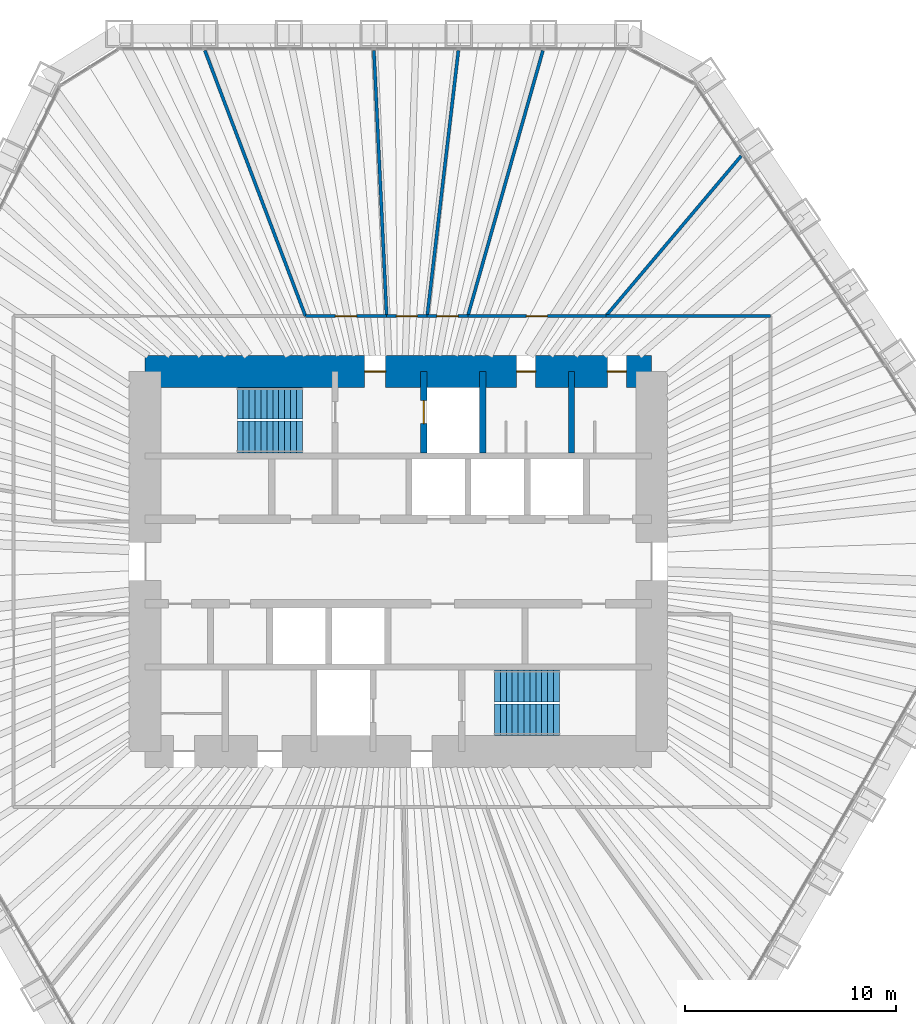
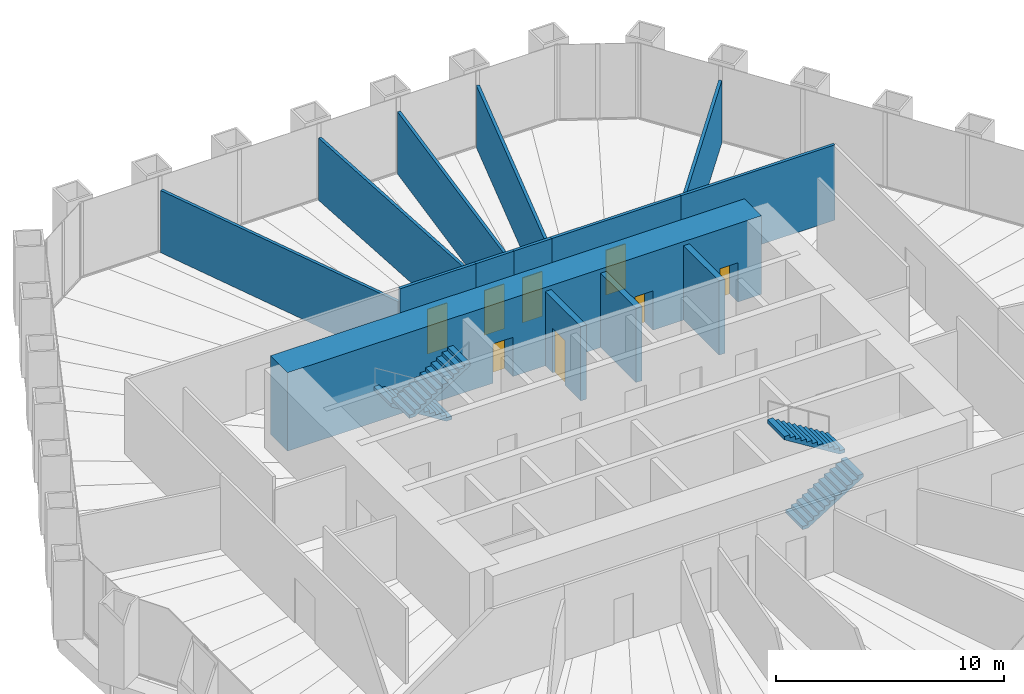
# One storey, part 12 of 13: 14 walls, 8 doors, 4 stair flights, 8 openings, 2 elements without a shape of their own.
"""IFC4 building model written with IfcOpenShell, lengths in metres."""

from ifc_helpers import new_model, si_unit, direction, frame, frame_2d, origin, place, context, subcontext, project, spatial, polyline, rectangle, outline, extrude, material, layer, layer_set, type_object, element, fill, aggregate, save


model = new_model("IFC4")

# Units and contexts
model_context = context("Model", 3, precision=1e-05, world=origin(), true_north=direction((0.0, 1.0)))
body_context = subcontext(model_context, "Body", "Model", "MODEL_VIEW")
ifc_project = project(units=[si_unit("LENGTHUNIT", "METRE"), si_unit("AREAUNIT", "SQUARE_METRE"), si_unit("VOLUMEUNIT", "CUBIC_METRE"), si_unit("PLANEANGLEUNIT", "RADIAN"), si_unit("MASSUNIT", "GRAM", prefix="KILO")], contexts=[model_context])

# Site, building, storey
site_placement = place(None, origin())
site = spatial("IfcSite", under=ifc_project, at=site_placement, CompositionType="ELEMENT")
building_placement = place(site_placement, origin())
building = spatial("IfcBuilding", under=site, at=building_placement, Name="Qingtian Harvest Tower", CompositionType="ELEMENT")
storey_placement = place(building_placement, frame((0.0, 0.0, 111.39990234375)))
storey = spatial("IfcBuildingStorey", under=building, at=storey_placement, Name="L22", CompositionType="ELEMENT", Elevation=111.39990234375)

# Wall, opening, door
ifc_material_1 = material(Name="Precast concrete shaft panel", Category="concrete")
ifc_layer_1 = layer(ifc_material_1, 0.300048828125)
ifc_layer_set_1 = layer_set([ifc_layer_1], Name="Core shaft partition SW1 300")
wall_type_1 = type_object("IfcWallType", Name="Core shaft partition SW1 300", PredefinedType="PARTITIONING", material=ifc_layer_set_1)
wall_1_placement = place(storey_placement, frame((1.199951171875, 5.14990234375, 0.0), z_axis=(0.0, 0.0, 1.0), x_axis=(0.0, 1.0, 0.0)))
wall_1 = element("IfcWall", 1, at=wall_1_placement, inside=storey, type_object=wall_type_1, Name="Core shaft partition XN2 L22", PredefinedType="PARTITIONING", context=body_context, shape_type="SweptSolid", body=[
    extrude(rectangle(XDim=3.85009765625, YDim=0.300048828125, at=frame_2d((1.925048828125, 0.0))), origin(), (0.0, 0.0, 1.0), 3.97998046875),
])
opening_1_placement = place(wall_1_placement, frame((1.375, 0.0, 0.0)))
opening_1 = element("IfcOpeningElement", 2, at=opening_1_placement, cuts=wall_1, Name="Opening LD1", PredefinedType="OPENING", context=body_context, shape_type="SweptSolid", body=[
    extrude(rectangle(XDim=1.10009765625, YDim=2.39990234375, at=frame_2d((0.550048828125, 1.199951171875))), frame((0.0, 0.159912109375, 0.0), z_axis=(0.0, -1.0, 0.0), x_axis=(1.0, 0.0, 0.0)), (0.0, 0.0, 1.0), 0.320068359375),
])
ifc_material_2 = material(Name="Stainless steel lift landing door", Category="steel")
door_type_1 = type_object("IfcDoorType", Name="Lift landing door LD1 1 HR", OperationType="DOUBLE_DOOR_SLIDING", PredefinedType="DOOR", material=ifc_material_2)
door_1_placement = place(opening_1_placement, origin())
door_1 = element("IfcDoor", 3, at=door_1_placement, inside=storey, type_object=door_type_1, Name="FL1 landing door L22", OperationType="DOUBLE_DOOR_SLIDING", OverallHeight=2.39990234375, OverallWidth=1.10009765625, PredefinedType="DOOR", context=body_context, shape_type="SweptSolid", body=[
    extrude(rectangle(XDim=1.10009765625, YDim=2.39990234375, at=frame_2d((0.550048828125, 1.199951171875))), frame((0.0, 0.02490234375, 0.0), z_axis=(0.0, -1.0, 0.0), x_axis=(1.0, 0.0, 0.0)), (0.0, 0.0, 1.0), 0.050048828125),
])
fill(opening_1, door_1)

# Walls
for number, where, z_axis, x_axis, name in (
    (4, (4.0, 5.14990234375, 0.0), (0.0, 0.0, 1.0), (0.0, 1.0, 0.0), "Core shaft partition XN3 L22"),
    (5, (8.199951171875, 5.14990234375, 0.0), (0.0, 0.0, 1.0), (0.0, 1.0, 0.0), "Core shaft partition XN4 L22"),
):
    element("IfcWall", number, at=place(storey_placement, frame(where, z_axis=z_axis, x_axis=x_axis)), inside=storey, type_object=wall_type_1, Name=name, PredefinedType="PARTITIONING", context=body_context, shape_type="SweptSolid", body=[
        extrude(rectangle(XDim=3.85009765625, YDim=0.300048828125, at=frame_2d((1.925048828125, 0.0))), origin(), (0.0, 0.0, 1.0), 3.97998046875),
    ])

# Wall, openings, doors
ifc_material_3 = material(Name="Concrete fc' 70 MPa", Category="concrete")
ifc_layer_2 = layer(ifc_material_3, 1.5)
ifc_layer_set_2 = layer_set([ifc_layer_2], Name="Core wall RC1 1500")
wall_type_2 = type_object("IfcWallType", Name="Core wall RC1 1500", PredefinedType="SHEAR", material=ifc_layer_set_2)
wall_2_placement = place(storey_placement, frame((-12.0, 9.0, 0.0), z_axis=(0.0, 0.0, 1.0), x_axis=(1.0, 0.0, 0.0)))
wall_2 = element("IfcWall", 6, at=wall_2_placement, inside=storey, type_object=wall_type_2, Name="Core wall CN L22", PredefinedType="SHEAR", context=body_context, shape_type="SweptSolid", body=[
    extrude(rectangle(XDim=24.0, YDim=1.5, at=frame_2d((12.0, 0.0))), origin(), (0.0, 0.0, 1.0), 4.2001953125),
])
opening_2_placement = place(wall_2_placement, frame((10.39990234375, 0.0, 0.0)))
opening_2 = element("IfcOpeningElement", 7, at=opening_2_placement, cuts=wall_2, Name="Opening FD1", PredefinedType="OPENING", context=body_context, shape_type="SweptSolid", body=[
    extrude(rectangle(XDim=1.0, YDim=2.10009765625, at=frame_2d((0.5, 1.050048828125))), frame((0.0, 0.760009765625, 0.0), z_axis=(0.0, -1.0, 0.0), x_axis=(1.0, 0.0, 0.0)), (0.0, 0.0, 1.0), 1.52001953125),
])
opening_3_placement = place(wall_2_placement, frame((17.60009765625, 0.0, 0.0)))
opening_3 = element("IfcOpeningElement", 8, at=opening_3_placement, cuts=wall_2, Name="Opening D1", PredefinedType="OPENING", context=body_context, shape_type="SweptSolid", body=[
    extrude(rectangle(XDim=0.89990234375, YDim=2.10009765625, at=frame_2d((0.449951171875, 1.050048828125))), frame((0.0, 0.760009765625, 0.0), z_axis=(0.0, -1.0, 0.0), x_axis=(1.0, 0.0, 0.0)), (0.0, 0.0, 1.0), 1.52001953125),
])
opening_4_placement = place(wall_2_placement, frame((21.89990234375, 0.0, 0.0)))
opening_4 = element("IfcOpeningElement", 9, at=opening_4_placement, cuts=wall_2, Name="Opening D1", PredefinedType="OPENING", context=body_context, shape_type="SweptSolid", body=[
    extrude(rectangle(XDim=0.89990234375, YDim=2.10009765625, at=frame_2d((0.449951171875, 1.050048828125))), frame((0.0, 0.760009765625, 0.0), z_axis=(0.0, -1.0, 0.0), x_axis=(1.0, 0.0, 0.0)), (0.0, 0.0, 1.0), 1.52001953125),
])
ifc_material_4 = material(Name="Steel-faced door leaf", Category="steel")
door_type_2 = type_object("IfcDoorType", Name="Fire door FD1 single 1 HR", OperationType="SINGLE_SWING_LEFT", PredefinedType="DOOR", material=ifc_material_4)
door_2_placement = place(opening_2_placement, origin())
door_2 = element("IfcDoor", 10, at=door_2_placement, inside=storey, type_object=door_type_2, Name="V1 door L22", OperationType="SINGLE_SWING_RIGHT", OverallHeight=2.10009765625, OverallWidth=1.0, PredefinedType="DOOR", context=body_context, shape_type="SweptSolid", body=[
    extrude(rectangle(XDim=1.0, YDim=2.10009765625, at=frame_2d((0.5, 1.050048828125))), frame((0.0, 0.02490234375, 0.0), z_axis=(0.0, -1.0, 0.0), x_axis=(1.0, 0.0, 0.0)), (0.0, 0.0, 1.0), 0.050048828125),
])
fill(opening_2, door_2)
ifc_material_5 = material(Name="Laminated timber door leaf", Category="wood")
door_type_3 = type_object("IfcDoorType", Name="Toilet door D1 single", OperationType="SINGLE_SWING_LEFT", PredefinedType="DOOR", material=ifc_material_5)
door_3_placement = place(opening_3_placement, origin())
door_3 = element("IfcDoor", 11, at=door_3_placement, inside=storey, type_object=door_type_3, Name="WCM door L22", OperationType="SINGLE_SWING_LEFT", OverallHeight=2.10009765625, OverallWidth=0.89990234375, PredefinedType="DOOR", context=body_context, shape_type="SweptSolid", body=[
    extrude(rectangle(XDim=0.89990234375, YDim=2.10009765625, at=frame_2d((0.449951171875, 1.050048828125))), frame((0.0, 0.02490234375, 0.0), z_axis=(0.0, -1.0, 0.0), x_axis=(1.0, 0.0, 0.0)), (0.0, 0.0, 1.0), 0.050048828125),
])
fill(opening_3, door_3)
door_4_placement = place(opening_4_placement, origin())
door_4 = element("IfcDoor", 12, at=door_4_placement, inside=storey, type_object=door_type_3, Name="WCF door L22", OperationType="SINGLE_SWING_LEFT", OverallHeight=2.10009765625, OverallWidth=0.89990234375, PredefinedType="DOOR", context=body_context, shape_type="SweptSolid", body=[
    extrude(rectangle(XDim=0.89990234375, YDim=2.10009765625, at=frame_2d((0.449951171875, 1.050048828125))), frame((0.0, 0.02490234375, 0.0), z_axis=(0.0, -1.0, 0.0), x_axis=(1.0, 0.0, 0.0)), (0.0, 0.0, 1.0), 0.050048828125),
])
fill(opening_4, door_4)

# Wall
ifc_material_6 = material(Name="Gypsum board on steel studs", Category="steel")
ifc_layer_3 = layer(ifc_material_6, 0.14990234375)
ifc_layer_set_3 = layer_set([ifc_layer_3], Name="Partition PT1 150")
wall_type_3 = type_object("IfcWallType", Name="Partition PT1 150", PredefinedType="PARTITIONING", material=ifc_layer_set_3)
wall_3_placement = place(storey_placement, frame((-9.167236328125, 24.20654296875, 0.0), z_axis=(0.0, 0.0, 1.0), x_axis=(0.354156368181, -0.935186220427, 0.0)))
element("IfcWall", 13, at=wall_3_placement, inside=storey, type_object=wall_type_3, Name="Meeting room wall L22", PredefinedType="PARTITIONING", context=body_context, shape_type="SweptSolid", body=[
    extrude(rectangle(XDim=13.45361328125, YDim=0.14990234375, at=frame_2d((6.726806640625, 0.0))), origin(), (0.0, 0.0, 1.0), 3.330078125),
])

# Wall, opening, door
wall_4_placement = place(storey_placement, frame((-4.402587890625, 11.625, 0.0), z_axis=(0.0, 0.0, 1.0), x_axis=(1.0, 0.0, 0.0)))
wall_4 = element("IfcWall", 14, at=wall_4_placement, inside=storey, type_object=wall_type_3, Name="Meeting room wall L22", PredefinedType="PARTITIONING", context=body_context, shape_type="SweptSolid", body=[
    extrude(rectangle(XDim=3.845458984375, YDim=0.14990234375, at=frame_2d((1.9228515625, 0.0))), origin(), (0.0, 0.0, 1.0), 4.030029296875),
])
opening_5_placement = place(wall_4_placement, frame((1.422607421875, 0.0, 0.0)))
opening_5 = element("IfcOpeningElement", 15, at=opening_5_placement, cuts=wall_4, Name="Opening D2", PredefinedType="OPENING", context=body_context, shape_type="SweptSolid", body=[
    extrude(rectangle(XDim=1.0, YDim=2.39990234375, at=frame_2d((0.5, 1.199951171875))), frame((0.0, 0.0849609375, 0.0), z_axis=(0.0, -1.0, 0.0), x_axis=(1.0, 0.0, 0.0)), (0.0, 0.0, 1.0), 0.169921875),
])
ifc_material_7 = material(Name="Laminated timber door leaf", Category="wood")
door_type_4 = type_object("IfcDoorType", Name="Room door D2 single", OperationType="SINGLE_SWING_LEFT", PredefinedType="DOOR", material=ifc_material_7)
door_5_placement = place(opening_5_placement, origin())
door_5 = element("IfcDoor", 16, at=door_5_placement, inside=storey, type_object=door_type_4, Name="Meeting room door L22", OperationType="SINGLE_SWING_RIGHT", OverallHeight=2.39990234375, OverallWidth=1.0, PredefinedType="DOOR", context=body_context, shape_type="SweptSolid", body=[
    extrude(rectangle(XDim=1.0, YDim=2.39990234375, at=frame_2d((0.5, 1.199951171875))), frame((0.0, 0.02490234375, 0.0), z_axis=(0.0, -1.0, 0.0), x_axis=(1.0, 0.0, 0.0)), (0.0, 0.0, 1.0), 0.050048828125),
])
fill(opening_5, door_5)

# Wall
wall_5_placement = place(storey_placement, frame((-1.15966796875, 24.2001953125, 0.0), z_axis=(0.0, 0.0, 1.0), x_axis=(0.047859979164, -0.998854054602, 0.0)))
element("IfcWall", 17, at=wall_5_placement, inside=storey, type_object=wall_type_3, Name="Meeting room wall L22", PredefinedType="PARTITIONING", context=body_context, shape_type="SweptSolid", body=[
    extrude(rectangle(XDim=12.589599609375, YDim=0.14990234375, at=frame_2d((6.294921875, 0.0))), origin(), (0.0, 0.0, 1.0), 3.330078125),
])

# Wall, opening, door
wall_6_placement = place(storey_placement, frame((-0.55712890625, 11.625, 0.0), z_axis=(0.0, 0.0, 1.0), x_axis=(1.0, 0.0, 0.0)))
wall_6 = element("IfcWall", 18, at=wall_6_placement, inside=storey, type_object=wall_type_3, Name="Meeting room wall L22", PredefinedType="PARTITIONING", context=body_context, shape_type="SweptSolid", body=[
    extrude(rectangle(XDim=1.9228515625, YDim=0.14990234375, at=frame_2d((0.96142578125, 0.0))), origin(), (0.0, 0.0, 1.0), 4.030029296875),
])
opening_6_placement = place(wall_6_placement, frame((0.46142578125, 0.0, 0.0)))
opening_6 = element("IfcOpeningElement", 19, at=opening_6_placement, cuts=wall_6, Name="Opening D2", PredefinedType="OPENING", context=body_context, shape_type="SweptSolid", body=[
    extrude(rectangle(XDim=1.0, YDim=2.39990234375, at=frame_2d((0.5, 1.199951171875))), frame((0.0, 0.0849609375, 0.0), z_axis=(0.0, -1.0, 0.0), x_axis=(1.0, 0.0, 0.0)), (0.0, 0.0, 1.0), 0.169921875),
])
door_6_placement = place(opening_6_placement, origin())
door_6 = element("IfcDoor", 20, at=door_6_placement, inside=storey, type_object=door_type_4, Name="Meeting room door L22", OperationType="SINGLE_SWING_RIGHT", OverallHeight=2.39990234375, OverallWidth=1.0, PredefinedType="DOOR", context=body_context, shape_type="SweptSolid", body=[
    extrude(rectangle(XDim=1.0, YDim=2.39990234375, at=frame_2d((0.5, 1.199951171875))), frame((0.0, 0.02490234375, 0.0), z_axis=(0.0, -1.0, 0.0), x_axis=(1.0, 0.0, 0.0)), (0.0, 0.0, 1.0), 0.050048828125),
])
fill(opening_6, door_6)

# Wall
wall_7_placement = place(storey_placement, frame((2.843017578125, 24.20068359375, 0.0), z_axis=(0.0, 0.0, 1.0), x_axis=(-0.116670084723, -0.993170726175, 0.0)))
element("IfcWall", 21, at=wall_7_placement, inside=storey, type_object=wall_type_3, Name="Store room wall L22", PredefinedType="PARTITIONING", context=body_context, shape_type="SweptSolid", body=[
    extrude(rectangle(XDim=12.662109375, YDim=0.14990234375, at=frame_2d((6.3310546875, 0.0))), origin(), (0.0, 0.0, 1.0), 3.330078125),
])

# Wall, opening, door
wall_8_placement = place(storey_placement, frame((1.36572265625, 11.625, 0.0), z_axis=(0.0, 0.0, 1.0), x_axis=(1.0, 0.0, 0.0)))
wall_8 = element("IfcWall", 22, at=wall_8_placement, inside=storey, type_object=wall_type_3, Name="Store room wall L22", PredefinedType="PARTITIONING", context=body_context, shape_type="SweptSolid", body=[
    extrude(rectangle(XDim=1.922607421875, YDim=0.14990234375, at=frame_2d((0.96142578125, 0.0))), origin(), (0.0, 0.0, 1.0), 4.030029296875),
])
opening_7_placement = place(wall_8_placement, frame((0.46142578125, 0.0, 0.0)))
opening_7 = element("IfcOpeningElement", 23, at=opening_7_placement, cuts=wall_8, Name="Opening D2", PredefinedType="OPENING", context=body_context, shape_type="SweptSolid", body=[
    extrude(rectangle(XDim=1.0, YDim=2.39990234375, at=frame_2d((0.5, 1.199951171875))), frame((0.0, 0.0849609375, 0.0), z_axis=(0.0, -1.0, 0.0), x_axis=(1.0, 0.0, 0.0)), (0.0, 0.0, 1.0), 0.169921875),
])
door_7_placement = place(opening_7_placement, origin())
door_7 = element("IfcDoor", 24, at=door_7_placement, inside=storey, type_object=door_type_4, Name="Store room door L22", OperationType="SINGLE_SWING_RIGHT", OverallHeight=2.39990234375, OverallWidth=1.0, PredefinedType="DOOR", context=body_context, shape_type="SweptSolid", body=[
    extrude(rectangle(XDim=1.0, YDim=2.39990234375, at=frame_2d((0.5, 1.199951171875))), frame((0.0, 0.02490234375, 0.0), z_axis=(0.0, -1.0, 0.0), x_axis=(1.0, 0.0, 0.0)), (0.0, 0.0, 1.0), 0.050048828125),
])
fill(opening_7, door_7)

# Wall
wall_9_placement = place(storey_placement, frame((6.846435546875, 24.203857421875, 0.0), z_axis=(0.0, 0.0, 1.0), x_axis=(-0.272184461049, -0.962245093084, 0.0)))
element("IfcWall", 25, at=wall_9_placement, inside=storey, type_object=wall_type_3, Name="Pantry wall L22", PredefinedType="PARTITIONING", context=body_context, shape_type="SweptSolid", body=[
    extrude(rectangle(XDim=13.072509765625, YDim=0.14990234375, at=frame_2d((6.5361328125, 0.0))), origin(), (0.0, 0.0, 1.0), 3.330078125),
])

# Wall, opening, door
wall_10_placement = place(storey_placement, frame((3.288330078125, 11.625, 0.0), z_axis=(0.0, 0.0, 1.0), x_axis=(1.0, 0.0, 0.0)))
wall_10 = element("IfcWall", 26, at=wall_10_placement, inside=storey, type_object=wall_type_3, Name="Pantry wall L22", PredefinedType="PARTITIONING", context=body_context, shape_type="SweptSolid", body=[
    extrude(rectangle(XDim=6.53759765625, YDim=0.14990234375, at=frame_2d((3.268798828125, 0.0))), origin(), (0.0, 0.0, 1.0), 4.030029296875),
])
opening_8_placement = place(wall_10_placement, frame((2.768798828125, 0.0, 0.0)))
opening_8 = element("IfcOpeningElement", 27, at=opening_8_placement, cuts=wall_10, Name="Opening D2", PredefinedType="OPENING", context=body_context, shape_type="SweptSolid", body=[
    extrude(rectangle(XDim=1.0, YDim=2.39990234375, at=frame_2d((0.5, 1.199951171875))), frame((0.0, 0.0849609375, 0.0), z_axis=(0.0, -1.0, 0.0), x_axis=(1.0, 0.0, 0.0)), (0.0, 0.0, 1.0), 0.169921875),
])
door_8_placement = place(opening_8_placement, origin())
door_8 = element("IfcDoor", 28, at=door_8_placement, inside=storey, type_object=door_type_4, Name="Pantry door L22", OperationType="SINGLE_SWING_LEFT", OverallHeight=2.39990234375, OverallWidth=1.0, PredefinedType="DOOR", context=body_context, shape_type="SweptSolid", body=[
    extrude(rectangle(XDim=1.0, YDim=2.39990234375, at=frame_2d((0.5, 1.199951171875))), frame((0.0, 0.02490234375, 0.0), z_axis=(0.0, -1.0, 0.0), x_axis=(1.0, 0.0, 0.0)), (0.0, 0.0, 1.0), 0.050048828125),
])
fill(opening_8, door_8)

# Walls
wall_11_placement = place(storey_placement, frame((16.2373046875, 19.21044921875, 0.0), z_axis=(0.0, 0.0, 1.0), x_axis=(-0.645526723652, -0.763737683404, 0.0)))
element("IfcWall", 29, at=wall_11_placement, inside=storey, type_object=wall_type_3, Name="Office suite wall L22", PredefinedType="PARTITIONING", context=body_context, shape_type="SweptSolid", body=[
    extrude(rectangle(XDim=9.93212890625, YDim=0.14990234375, at=frame_2d((4.966064453125, 0.0))), origin(), (0.0, 0.0, 1.0), 3.330078125),
])
wall_12_placement = place(storey_placement, frame((9.825927734375, 11.625, 0.0), z_axis=(0.0, 0.0, 1.0), x_axis=(1.0, 0.0, 0.0)))
element("IfcWall", 30, at=wall_12_placement, inside=storey, type_object=wall_type_3, Name="Office suite wall L22", PredefinedType="PARTITIONING", context=body_context, shape_type="SweptSolid", body=[
    extrude(rectangle(XDim=7.799072265625, YDim=0.14990234375, at=frame_2d((3.8994140625, 0.0))), origin(), (0.0, 0.0, 1.0), 4.030029296875),
])

# Stair, stair flights
ifc_material_8 = material(Name="Concrete fc' 35 MPa", Category="concrete")
stair_type = type_object("IfcStairType", Name="Special stair ST3 4200", PredefinedType="HALF_TURN_STAIR", material=ifc_material_8)
stair_1_placement = place(storey_placement, origin())
stair_1 = element("IfcStair", 31, at=stair_1_placement, inside=storey, type_object=stair_type, Name="Special stair S1 L22", PredefinedType="HALF_TURN_STAIR")
ifc_material_9 = material(Name="Concrete fc' 35 MPa", Category="concrete")
stair_flight_type = type_object("IfcStairFlightType", Name="Stair flight SF3 4200", PredefinedType="STRAIGHT", material=ifc_material_9)
stair_flight_1_placement = place(storey_placement, frame((-4.550048828125, 7.5, 0.0), z_axis=(0.0, 0.0, 1.0), x_axis=(-1.0, 0.0, 0.0)))
stair_flight_1 = element("IfcStairFlight", 32, at=stair_flight_1_placement, type_object=stair_flight_type, Name="S1 flight 1", NumberOfRisers=12, NumberOfTreads=11, PredefinedType="STRAIGHT", RiserHeight=0.175, TreadLength=0.28, context=body_context, shape_type="SweptSolid", body=[
    extrude(outline(polyline([(0.0, 0.0), (0.0, 0.175048828125), (0.280029296875, 0.175048828125), (0.280029296875, 0.35009765625), (0.56005859375, 0.35009765625), (0.56005859375, 0.52490234375), (0.840087890625, 0.52490234375), (0.840087890625, 0.699951171875), (1.1201171875, 0.699951171875), (1.1201171875, 0.875), (1.39990234375, 0.875), (1.39990234375, 1.050048828125), (1.679931640625, 1.050048828125), (1.679931640625, 1.22509765625), (1.9599609375, 1.22509765625), (1.9599609375, 1.39990234375), (2.239990234375, 1.39990234375), (2.239990234375, 1.574951171875), (2.52001953125, 1.574951171875), (2.52001953125, 1.75), (2.800048828125, 1.75), (2.800048828125, 1.925048828125), (3.080078125, 1.925048828125), (3.080078125, 2.10009765625), (3.080078125, 1.748291015625), (0.28271484375, 0.0), (0.0, 0.0)])), frame((0.0, 0.75, 0.0), z_axis=(0.0, -1.0, 0.0), x_axis=(1.0, 0.0, 0.0)), (0.0, 0.0, 1.0), 1.5),
])
stair_flight_2_placement = place(storey_placement, frame((-7.6298828125, 5.89990234375, 2.10009765625), z_axis=(0.0, 0.0, 1.0), x_axis=(1.0, 0.0, 0.0)))
stair_flight_2 = element("IfcStairFlight", 33, at=stair_flight_2_placement, type_object=stair_flight_type, Name="S1 flight 2", NumberOfRisers=12, NumberOfTreads=11, PredefinedType="STRAIGHT", RiserHeight=0.175, TreadLength=0.28, context=body_context, shape_type="SweptSolid", body=[
    extrude(outline(polyline([(0.0, 0.0), (0.0, 0.175048828125), (0.280029296875, 0.175048828125), (0.280029296875, 0.35009765625), (0.56005859375, 0.35009765625), (0.56005859375, 0.52490234375), (0.840087890625, 0.52490234375), (0.840087890625, 0.699951171875), (1.1201171875, 0.699951171875), (1.1201171875, 0.875), (1.39990234375, 0.875), (1.39990234375, 1.050048828125), (1.679931640625, 1.050048828125), (1.679931640625, 1.22509765625), (1.9599609375, 1.22509765625), (1.9599609375, 1.39990234375), (2.239990234375, 1.39990234375), (2.239990234375, 1.574951171875), (2.52001953125, 1.574951171875), (2.52001953125, 1.75), (2.800048828125, 1.75), (2.800048828125, 1.925048828125), (3.080078125, 1.925048828125), (3.080078125, 2.10009765625), (3.080078125, 1.748291015625), (0.28271484375, 0.0), (0.0, 0.0)])), frame((0.0, 0.75, 0.0), z_axis=(0.0, -1.0, 0.0), x_axis=(1.0, 0.0, 0.0)), (0.0, 0.0, 1.0), 1.5),
])
aggregate(stair_1, [stair_flight_1, stair_flight_2])

stair_2_placement = place(storey_placement, origin())
stair_2 = element("IfcStair", 34, at=stair_2_placement, inside=storey, type_object=stair_type, Name="Special stair S2 L22", PredefinedType="HALF_TURN_STAIR")
stair_flight_3_placement = place(storey_placement, frame((4.550048828125, -7.5, 0.0), z_axis=(0.0, 0.0, 1.0), x_axis=(1.0, 0.0, 0.0)))
stair_flight_3 = element("IfcStairFlight", 35, at=stair_flight_3_placement, type_object=stair_flight_type, Name="S2 flight 1", NumberOfRisers=12, NumberOfTreads=11, PredefinedType="STRAIGHT", RiserHeight=0.175, TreadLength=0.28, context=body_context, shape_type="SweptSolid", body=[
    extrude(outline(polyline([(0.0, 0.0), (0.0, 0.175048828125), (0.280029296875, 0.175048828125), (0.280029296875, 0.35009765625), (0.56005859375, 0.35009765625), (0.56005859375, 0.52490234375), (0.840087890625, 0.52490234375), (0.840087890625, 0.699951171875), (1.1201171875, 0.699951171875), (1.1201171875, 0.875), (1.39990234375, 0.875), (1.39990234375, 1.050048828125), (1.679931640625, 1.050048828125), (1.679931640625, 1.22509765625), (1.9599609375, 1.22509765625), (1.9599609375, 1.39990234375), (2.239990234375, 1.39990234375), (2.239990234375, 1.574951171875), (2.52001953125, 1.574951171875), (2.52001953125, 1.75), (2.800048828125, 1.75), (2.800048828125, 1.925048828125), (3.080078125, 1.925048828125), (3.080078125, 2.10009765625), (3.080078125, 1.748291015625), (0.28271484375, 0.0), (0.0, 0.0)])), frame((0.0, 0.75, 0.0), z_axis=(0.0, -1.0, 0.0), x_axis=(1.0, 0.0, 0.0)), (0.0, 0.0, 1.0), 1.5),
])
stair_flight_4_placement = place(storey_placement, frame((7.6298828125, -5.89990234375, 2.10009765625), z_axis=(0.0, 0.0, 1.0), x_axis=(-1.0, 0.0, 0.0)))
stair_flight_4 = element("IfcStairFlight", 36, at=stair_flight_4_placement, type_object=stair_flight_type, Name="S2 flight 2", NumberOfRisers=12, NumberOfTreads=11, PredefinedType="STRAIGHT", RiserHeight=0.175, TreadLength=0.28, context=body_context, shape_type="SweptSolid", body=[
    extrude(outline(polyline([(0.0, 0.0), (0.0, 0.175048828125), (0.280029296875, 0.175048828125), (0.280029296875, 0.35009765625), (0.56005859375, 0.35009765625), (0.56005859375, 0.52490234375), (0.840087890625, 0.52490234375), (0.840087890625, 0.699951171875), (1.1201171875, 0.699951171875), (1.1201171875, 0.875), (1.39990234375, 0.875), (1.39990234375, 1.050048828125), (1.679931640625, 1.050048828125), (1.679931640625, 1.22509765625), (1.9599609375, 1.22509765625), (1.9599609375, 1.39990234375), (2.239990234375, 1.39990234375), (2.239990234375, 1.574951171875), (2.52001953125, 1.574951171875), (2.52001953125, 1.75), (2.800048828125, 1.75), (2.800048828125, 1.925048828125), (3.080078125, 1.925048828125), (3.080078125, 2.10009765625), (3.080078125, 1.748291015625), (0.28271484375, 0.0), (0.0, 0.0)])), frame((0.0, 0.75, 0.0), z_axis=(0.0, -1.0, 0.0), x_axis=(1.0, 0.0, 0.0)), (0.0, 0.0, 1.0), 1.5),
])
aggregate(stair_2, [stair_flight_3, stair_flight_4])

save(model, "model.ifc")
